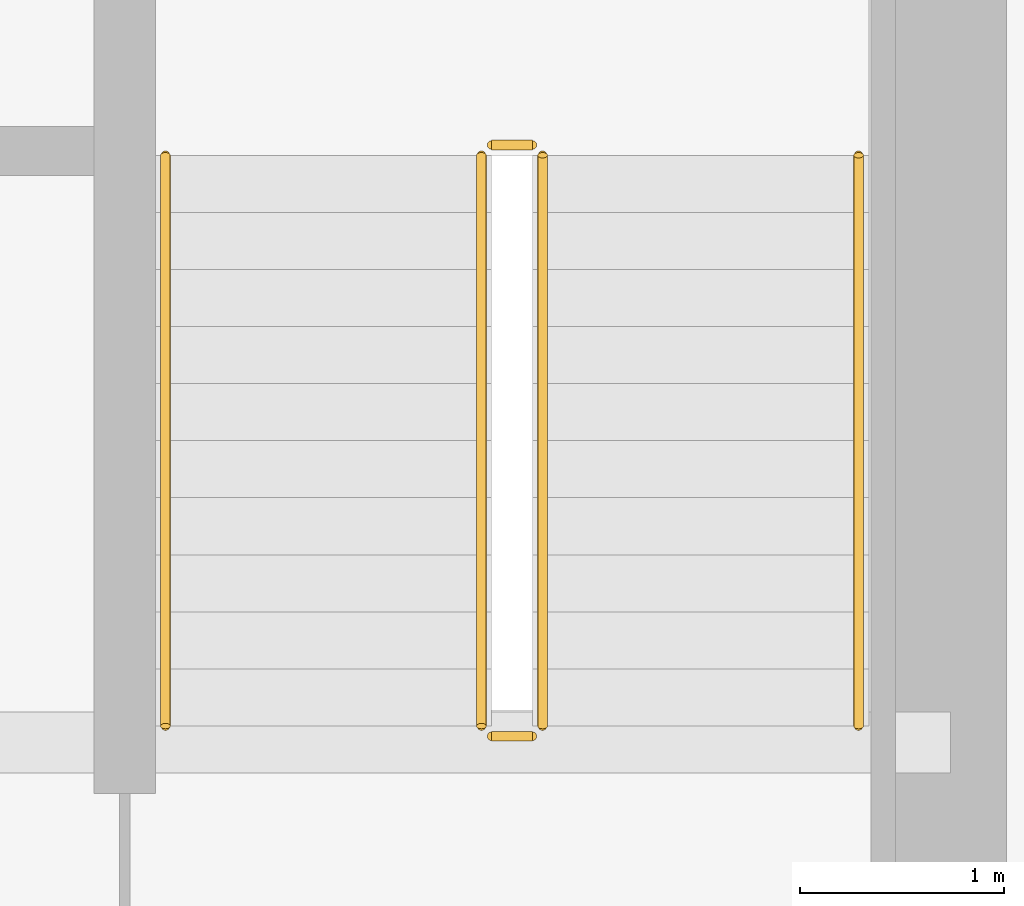
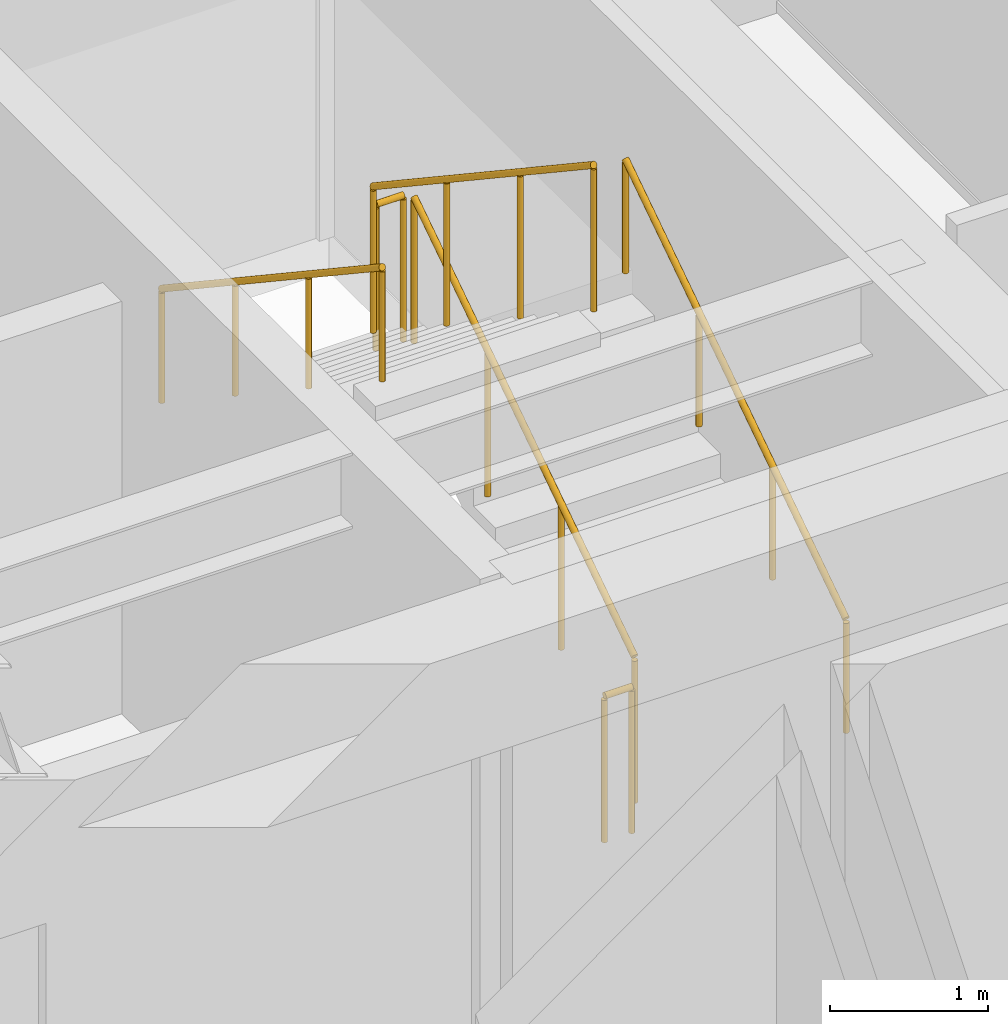
# One storey, part 35 of 36: 6 railings.
"""IFC4 building model written with IfcOpenShell, lengths in metres."""

from ifc_helpers import new_model, si_unit, direction, frame, origin, origin_2d, place, context, subcontext, project, spatial, circle, extrude, source, transform, mapped, material, type_object, type_shapes, element, save


model = new_model("IFC4")

# Units and contexts
model_context = context("Model", 3, precision=1e-05, world=origin(), true_north=direction((0.0, 1.0)))
body_context = subcontext(model_context, "Body", "Model", "MODEL_VIEW")
ifc_project = project(units=[si_unit("LENGTHUNIT", "METRE"), si_unit("AREAUNIT", "SQUARE_METRE"), si_unit("VOLUMEUNIT", "CUBIC_METRE"), si_unit("PLANEANGLEUNIT", "RADIAN"), si_unit("MASSUNIT", "GRAM", prefix="KILO")], contexts=[model_context])

# Site, building, storey
site_placement = place(None, origin())
site = spatial("IfcSite", under=ifc_project, at=site_placement, CompositionType="ELEMENT")
building_placement = place(site_placement, origin())
building = spatial("IfcBuilding", under=site, at=building_placement, Name="Haelvirn Gate Laboratories", CompositionType="ELEMENT")
storey_placement = place(building_placement, frame((0.0, 0.0, 254.699951171875)))
storey = spatial("IfcBuildingStorey", under=building, at=storey_placement, Name="L61", CompositionType="ELEMENT", Elevation=254.699951171875)

# Railings
ifc_material_1 = material(Name="Galvanised steel SM355 & stainless top rail", Category="steel")
railing_type_1 = type_object("IfcRailingType", Name="RL-GUARD-1150", PredefinedType="GUARDRAIL", material=ifc_material_1)
shared_shape_1 = source(origin(), body_context, "Body", "SweptSolid", [
    extrude(circle(Radius=0.02392578125, at=origin_2d()), frame((0.0, 0.0, 1.1259765625), z_axis=(0.0, 0.832485552168, 0.554046753832), x_axis=(-1.0, 0.0, 0.0)), (0.0, 0.0, 1.0), 3.363525390625),
    extrude(circle(Radius=0.02099609375, at=origin_2d()), origin(), (0.0, 0.0, 1.0), 1.101806640625),
    extrude(circle(Radius=0.02099609375, at=origin_2d()), frame((0.0, 0.933349609375, 0.62109375)), (0.0, 0.0, 1.0), 1.101806640625),
    extrude(circle(Radius=0.02099609375, at=origin_2d()), frame((0.0, 1.86669921875, 1.242431640625)), (0.0, 0.0, 1.0), 1.101806640625),
    extrude(circle(Radius=0.02099609375, at=origin_2d()), frame((0.0, 2.800048828125, 1.863525390625)), (0.0, 0.0, 1.0), 1.101806640625),
])
railing_1_placement = place(storey_placement, frame((65.39990234375, 26.699951171875, 0.1865234375)))
element("IfcRailing", 1, at=railing_1_placement, inside=storey, type_object=railing_type_1, Name="L61 ST2 stair guard 1", PredefinedType="GUARDRAIL", context=body_context, shape_type="MappedRepresentation", body=[
    mapped(shared_shape_1, transform((0.0, 0.0, 0.0), scale=1.0)),
])
shared_shape_2 = source(origin(), body_context, "Body", "SweptSolid", [
    extrude(circle(Radius=0.02392578125, at=origin_2d()), frame((0.0, 0.0, 1.1259765625), z_axis=(0.0, -0.832452072856, 0.554097055034), x_axis=(1.0, 0.0, 0.0)), (0.0, 0.0, 1.0), 3.363525390625),
    extrude(circle(Radius=0.02099609375, at=origin_2d()), origin(), (0.0, 0.0, 1.0), 1.101806640625),
    extrude(circle(Radius=0.02099609375, at=origin_2d()), frame((0.0, -0.933349609375, 0.621337890625)), (0.0, 0.0, 1.0), 1.101806640625),
    extrude(circle(Radius=0.02099609375, at=origin_2d()), frame((0.0, -1.86669921875, 1.242431640625)), (0.0, 0.0, 1.0), 1.101806640625),
    extrude(circle(Radius=0.02099609375, at=origin_2d()), frame((0.0, -2.800048828125, 1.86376953125)), (0.0, 0.0, 1.0), 1.101806640625),
])
railing_2_placement = place(storey_placement, frame((65.10009765625, 29.5, 2.236328125)))
element("IfcRailing", 2, at=railing_2_placement, inside=storey, type_object=railing_type_1, Name="L61 ST2 stair guard 3", PredefinedType="GUARDRAIL", context=body_context, shape_type="MappedRepresentation", body=[
    mapped(shared_shape_2, transform((0.0, 0.0, 0.0), scale=1.0)),
])
ifc_material_2 = material(Name="Brushed stainless steel 316L", Category="steel")
railing_type_2 = type_object("IfcRailingType", Name="RL-HAND-920", PredefinedType="HANDRAIL", material=ifc_material_2)
shared_shape_3 = source(origin(), body_context, "Body", "SweptSolid", [
    extrude(circle(Radius=0.02392578125, at=origin_2d()), frame((0.0, 0.0, 0.8759765625), z_axis=(0.0, 0.832485552168, 0.554046753832), x_axis=(-1.0, 0.0, 0.0)), (0.0, 0.0, 1.0), 3.363525390625),
    extrude(circle(Radius=0.02099609375, at=origin_2d()), origin(), (0.0, 0.0, 1.0), 0.851806640625),
    extrude(circle(Radius=0.02099609375, at=origin_2d()), frame((0.0, 0.933349609375, 0.62109375)), (0.0, 0.0, 1.0), 0.851806640625),
    extrude(circle(Radius=0.02099609375, at=origin_2d()), frame((0.0, 1.86669921875, 1.242431640625)), (0.0, 0.0, 1.0), 0.851806640625),
    extrude(circle(Radius=0.02099609375, at=origin_2d()), frame((0.0, 2.800048828125, 1.863525390625)), (0.0, 0.0, 1.0), 0.851806640625),
])
railing_3_placement = place(storey_placement, frame((66.949951171875, 26.699951171875, 0.1865234375)))
element("IfcRailing", 3, at=railing_3_placement, inside=storey, type_object=railing_type_2, Name="L61 ST2 stair handrail 1", PredefinedType="HANDRAIL", context=body_context, shape_type="MappedRepresentation", body=[
    mapped(shared_shape_3, transform((0.0, 0.0, 0.0), scale=1.0)),
])
shared_shape_4 = source(origin(), body_context, "Body", "SweptSolid", [
    extrude(circle(Radius=0.02392578125, at=origin_2d()), frame((0.0, 0.0, 0.8759765625), z_axis=(0.0, -0.832452072856, 0.554097055034), x_axis=(1.0, 0.0, 0.0)), (0.0, 0.0, 1.0), 3.363525390625),
    extrude(circle(Radius=0.02099609375, at=origin_2d()), origin(), (0.0, 0.0, 1.0), 0.851806640625),
    extrude(circle(Radius=0.02099609375, at=origin_2d()), frame((0.0, -0.933349609375, 0.621337890625)), (0.0, 0.0, 1.0), 0.851806640625),
    extrude(circle(Radius=0.02099609375, at=origin_2d()), frame((0.0, -1.86669921875, 1.242431640625)), (0.0, 0.0, 1.0), 0.851806640625),
    extrude(circle(Radius=0.02099609375, at=origin_2d()), frame((0.0, -2.800048828125, 1.86376953125)), (0.0, 0.0, 1.0), 0.851806640625),
])
type_shapes(railing_type_2, [shared_shape_3, shared_shape_4])
railing_4_placement = place(storey_placement, frame((63.550048828125, 29.5, 2.236328125)))
element("IfcRailing", 4, at=railing_4_placement, inside=storey, type_object=railing_type_2, Name="L61 ST2 stair handrail 2", PredefinedType="HANDRAIL", context=body_context, shape_type="MappedRepresentation", body=[
    mapped(shared_shape_4, transform((0.0, 0.0, 0.0), scale=1.0)),
])
shared_shape_5 = source(origin(), body_context, "Body", "SweptSolid", [
    extrude(circle(Radius=0.02392578125, at=origin_2d()), frame((0.0, 0.0, 1.1259765625), z_axis=(-1.0, 0.0, 0.0), x_axis=(0.0, -1.0, 0.0)), (0.0, 0.0, 1.0), 0.2001953125),
    extrude(circle(Radius=0.02099609375, at=origin_2d()), origin(), (0.0, 0.0, 1.0), 1.101806640625),
    extrude(circle(Radius=0.02099609375, at=origin_2d()), frame((-0.2001953125, 0.0, 0.0)), (0.0, 0.0, 1.0), 1.101806640625),
])
type_shapes(railing_type_1, [shared_shape_1, shared_shape_2, shared_shape_5])
for number, where, name in (
    (5, (65.35009765625, 29.550048828125, 2.050048828125), "L61 ST2 stair guard 2"),
    (6, (65.35009765625, 26.64990234375, 0.0), "L61 ST2 stair guard 4"),
):
    element("IfcRailing", number, at=place(storey_placement, frame(where)), inside=storey, type_object=railing_type_1, Name=name, PredefinedType="GUARDRAIL", context=body_context, shape_type="MappedRepresentation", body=[
        mapped(shared_shape_5, transform((0.0, 0.0, 0.0), scale=1.0)),
    ])

save(model, "model.ifc")
